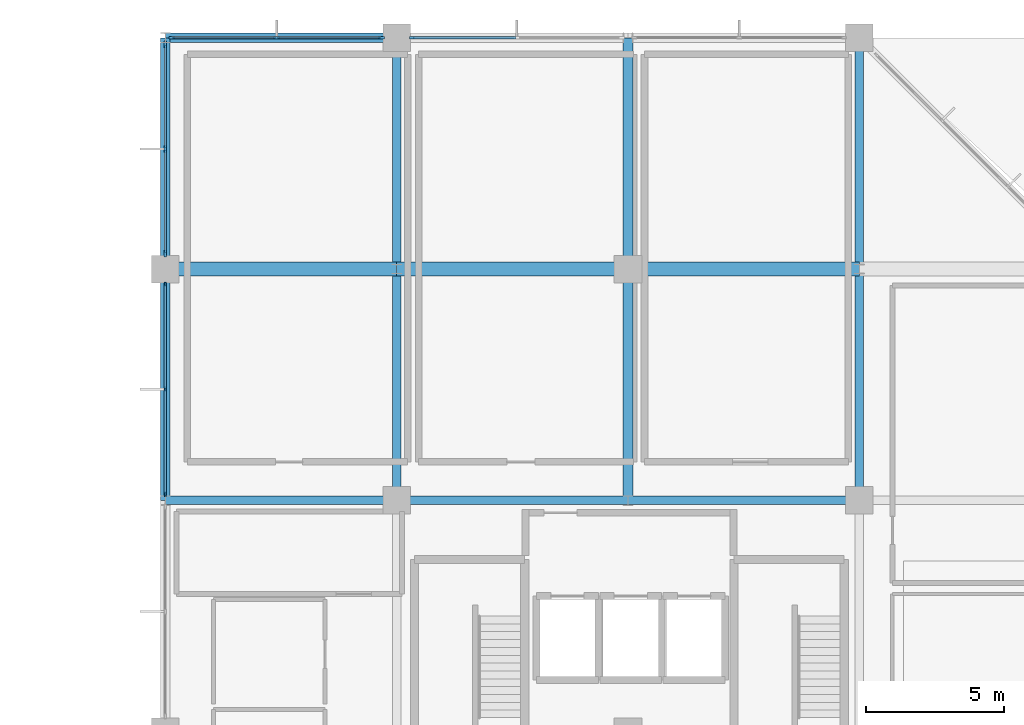
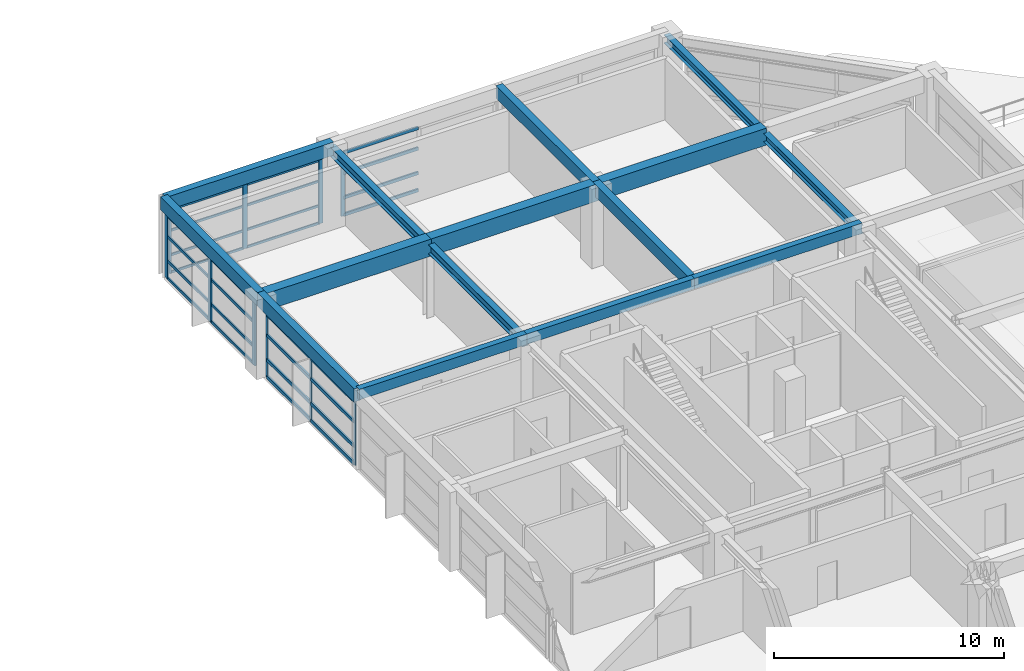
# One storey, part 10 of 21: 38 members, 15 beams, 4 elements without a shape of their own.
"""IFC4 building model written with IfcOpenShell, lengths in metres."""

from ifc_helpers import new_model, si_unit, direction, frame, origin, origin_2d, place, context, subcontext, project, spatial, rectangle, i_section, extrude, material, material_profile, profile_set, type_object, element, aggregate, save


model = new_model("IFC4")

# Units and contexts
model_context = context("Model", 3, precision=1e-05, world=origin(), true_north=direction((0.0, 1.0)))
body_context = subcontext(model_context, "Body", "Model", "MODEL_VIEW")
ifc_project = project(units=[si_unit("LENGTHUNIT", "METRE"), si_unit("AREAUNIT", "SQUARE_METRE"), si_unit("VOLUMEUNIT", "CUBIC_METRE"), si_unit("PLANEANGLEUNIT", "RADIAN"), si_unit("MASSUNIT", "GRAM", prefix="KILO")], contexts=[model_context])

# Site, building, storey
site_placement = place(None, origin())
site = spatial("IfcSite", under=ifc_project, at=site_placement, CompositionType="ELEMENT")
building_placement = place(site_placement, origin())
building = spatial("IfcBuilding", under=site, at=building_placement, Name="Xuanlan Plaza Opera House", CompositionType="ELEMENT")
storey_placement = place(building_placement, frame((0.0, 0.0, 44.699951171875)))
storey = spatial("IfcBuildingStorey", under=building, at=storey_placement, Name="L10", CompositionType="ELEMENT", Elevation=44.699951171875)

# Curtain wall, members
ifc_material_1 = material(Name="Anodised Aluminium 6063-T6 and Low-E Glass", Category="aluminium")
curtain_wall_type_1 = type_object("IfcCurtainWallType", Name="ENV-CW-CW-02", PredefinedType="USERDEFINED", material=ifc_material_1)
curtain_wall_1_placement = place(storey_placement, origin())
curtain_wall_1 = element("IfcCurtainWall", 1, at=curtain_wall_1_placement, inside=storey, type_object=curtain_wall_type_1, Name="Unitised Curtain Wall L10-014", ObjectType="UNITISED CURTAIN WALL", PredefinedType="USERDEFINED")
ifc_material_2 = material(Name="Anodised Aluminium 6063-T6", Category="aluminium")
ifc_material_profile_1 = material_profile(ifc_material_2, rectangle(XDim=0.06494140625, YDim=0.159912109375, at=origin_2d()), Name="ALU-M 65x160")
ifc_profile_set_1 = profile_set([ifc_material_profile_1], Name="Anodised Aluminium 6063-T6")
member_type_1 = type_object("IfcMemberType", Name="ENV-CWM-01", PredefinedType="MULLION", material=ifc_profile_set_1)
member_1_placement = place(storey_placement, frame((126.0, 75.047607421875, 0.0), z_axis=(0.0, 0.0, 1.0), x_axis=(1.0, 0.0, 0.0)))
member_1 = element("IfcMember", 2, at=member_1_placement, type_object=member_type_1, Name="CW-02 mullion 1", PredefinedType="MULLION", context=body_context, shape_type="SweptSolid", body=[
    extrude(rectangle(XDim=0.06494140625, YDim=0.159912109375, at=origin_2d()), origin(), (0.0, 0.0, 1.0), 3.380126953125),
])
member_2_placement = place(storey_placement, frame((126.0, 71.237548828125, 0.0), z_axis=(0.0, 0.0, 1.0), x_axis=(1.0, 0.0, 0.0)))
member_2 = element("IfcMember", 3, at=member_2_placement, type_object=member_type_1, Name="CW-02 mullion 2", PredefinedType="MULLION", context=body_context, shape_type="SweptSolid", body=[
    extrude(rectangle(XDim=0.06494140625, YDim=0.159912109375, at=origin_2d()), origin(), (0.0, 0.0, 1.0), 3.380126953125),
])
member_3_placement = place(storey_placement, frame((126.0, 67.427490234375, 0.0), z_axis=(0.0, 0.0, 1.0), x_axis=(1.0, 0.0, 0.0)))
member_3 = element("IfcMember", 4, at=member_3_placement, type_object=member_type_1, Name="CW-02 mullion 3", PredefinedType="MULLION", context=body_context, shape_type="SweptSolid", body=[
    extrude(rectangle(XDim=0.06494140625, YDim=0.159912109375, at=origin_2d()), origin(), (0.0, 0.0, 1.0), 3.380126953125),
])

# Curtain wall, member
curtain_wall_type_2 = type_object("IfcCurtainWallType", Name="ENV-CW-CW-03", PredefinedType="USERDEFINED", material=ifc_material_1)
curtain_wall_2_placement = place(storey_placement, origin())
curtain_wall_2 = element("IfcCurtainWall", 5, at=curtain_wall_2_placement, inside=storey, type_object=curtain_wall_type_2, Name="Unitised Curtain Wall L10-011", ObjectType="UNITISED CURTAIN WALL", PredefinedType="USERDEFINED")
ifc_material_profile_2 = material_profile(ifc_material_2, rectangle(XDim=0.074951171875, YDim=0.199951171875, at=origin_2d()), Name="ALU-M 75x200")
ifc_profile_set_2 = profile_set([ifc_material_profile_2], Name="Anodised Aluminium 6063-T6")
member_type_2 = type_object("IfcMemberType", Name="ENV-CWM-03", PredefinedType="MULLION", material=ifc_profile_set_2)
member_4_placement = place(storey_placement, frame((134.95751953125, 84.0, 0.0), z_axis=(0.0, 0.0, 1.0), x_axis=(0.0, -1.0, 0.0)))
member_4 = element("IfcMember", 6, at=member_4_placement, type_object=member_type_2, Name="CW-03 mullion 3", PredefinedType="MULLION", context=body_context, shape_type="SweptSolid", body=[
    extrude(rectangle(XDim=0.074951171875, YDim=0.199951171875, at=origin_2d()), origin(), (0.0, 0.0, 1.0), 3.380126953125),
])

# Curtain wall, members
curtain_wall_type_3 = type_object("IfcCurtainWallType", Name="ENV-CW-CW-04", PredefinedType="USERDEFINED", material=ifc_material_1)
curtain_wall_3_placement = place(storey_placement, origin())
curtain_wall_3 = element("IfcCurtainWall", 7, at=curtain_wall_3_placement, inside=storey, type_object=curtain_wall_type_3, Name="Unitised Curtain Wall L10-012", ObjectType="UNITISED CURTAIN WALL", PredefinedType="USERDEFINED")
ifc_material_profile_3 = material_profile(ifc_material_2, rectangle(XDim=0.080078125, YDim=0.219970703125, at=origin_2d()), Name="ALU-M 80x220")
ifc_profile_set_3 = profile_set([ifc_material_profile_3], Name="Anodised Aluminium 6063-T6")
member_type_3 = type_object("IfcMemberType", Name="ENV-CWM-04", PredefinedType="MULLION", material=ifc_profile_set_3)
member_5_placement = place(storey_placement, frame((133.840087890625, 84.0, 0.0), z_axis=(0.0, 0.0, 1.0), x_axis=(0.0, -1.0, 0.0)))
member_5 = element("IfcMember", 8, at=member_5_placement, type_object=member_type_3, Name="CW-04 mullion 1", PredefinedType="MULLION", context=body_context, shape_type="SweptSolid", body=[
    extrude(rectangle(XDim=0.080078125, YDim=0.219970703125, at=origin_2d()), origin(), (0.0, 0.0, 1.0), 3.380126953125),
])
member_6_placement = place(storey_placement, frame((130.03759765625, 84.0, 0.0), z_axis=(0.0, 0.0, 1.0), x_axis=(0.0, -1.0, 0.0)))
member_6 = element("IfcMember", 9, at=member_6_placement, type_object=member_type_3, Name="CW-04 mullion 2", PredefinedType="MULLION", context=body_context, shape_type="SweptSolid", body=[
    extrude(rectangle(XDim=0.080078125, YDim=0.219970703125, at=origin_2d()), origin(), (0.0, 0.0, 1.0), 3.380126953125),
])
member_7_placement = place(storey_placement, frame((126.235107421875, 84.0, 0.0), z_axis=(0.0, 0.0, 1.0), x_axis=(0.0, -1.0, 0.0)))
member_7 = element("IfcMember", 10, at=member_7_placement, type_object=member_type_3, Name="CW-04 mullion 3", PredefinedType="MULLION", context=body_context, shape_type="SweptSolid", body=[
    extrude(rectangle(XDim=0.080078125, YDim=0.219970703125, at=origin_2d()), origin(), (0.0, 0.0, 1.0), 3.380126953125),
])

curtain_wall_type_4 = type_object("IfcCurtainWallType", Name="ENV-CW-CW-01", PredefinedType="USERDEFINED", material=ifc_material_1)
curtain_wall_4_placement = place(storey_placement, origin())
curtain_wall_4 = element("IfcCurtainWall", 11, at=curtain_wall_4_placement, inside=storey, type_object=curtain_wall_type_4, Name="Unitised Curtain Wall L10-013", ObjectType="UNITISED CURTAIN WALL", PredefinedType="USERDEFINED")
ifc_material_profile_4 = material_profile(ifc_material_2, rectangle(XDim=0.090087890625, YDim=0.25, at=origin_2d()), Name="ALU-M 90x250")
ifc_profile_set_4 = profile_set([ifc_material_profile_4], Name="Anodised Aluminium 6063-T6")
member_type_4 = type_object("IfcMemberType", Name="ENV-CWM-05", PredefinedType="MULLION", material=ifc_profile_set_4)
member_8_placement = place(storey_placement, frame((126.0, 83.760009765625, 0.0), z_axis=(0.0, 0.0, 1.0), x_axis=(1.0, 0.0, 0.0)))
member_8 = element("IfcMember", 12, at=member_8_placement, type_object=member_type_4, Name="CW-01 mullion 1", PredefinedType="MULLION", context=body_context, shape_type="SweptSolid", body=[
    extrude(rectangle(XDim=0.090087890625, YDim=0.25, at=origin_2d()), origin(), (0.0, 0.0, 1.0), 3.380126953125),
])
member_9_placement = place(storey_placement, frame((126.0, 79.96240234375, 0.0), z_axis=(0.0, 0.0, 1.0), x_axis=(1.0, 0.0, 0.0)))
member_9 = element("IfcMember", 13, at=member_9_placement, type_object=member_type_4, Name="CW-01 mullion 2", PredefinedType="MULLION", context=body_context, shape_type="SweptSolid", body=[
    extrude(rectangle(XDim=0.090087890625, YDim=0.25, at=origin_2d()), origin(), (0.0, 0.0, 1.0), 3.380126953125),
])
member_10_placement = place(storey_placement, frame((126.0, 76.1650390625, 0.0), z_axis=(0.0, 0.0, 1.0), x_axis=(1.0, 0.0, 0.0)))
member_10 = element("IfcMember", 14, at=member_10_placement, type_object=member_type_4, Name="CW-01 mullion 3", PredefinedType="MULLION", context=body_context, shape_type="SweptSolid", body=[
    extrude(rectangle(XDim=0.090087890625, YDim=0.25, at=origin_2d()), origin(), (0.0, 0.0, 1.0), 3.380126953125),
])

# Member
ifc_material_profile_5 = material_profile(ifc_material_2, rectangle(XDim=0.06494140625, YDim=0.1201171875, at=origin_2d()), Name="ALU-T 65x120")
ifc_profile_set_5 = profile_set([ifc_material_profile_5], Name="Anodised Aluminium 6063-T6")
member_type_5 = type_object("IfcMemberType", Name="ENV-CWT-01", PredefinedType="USERDEFINED", material=ifc_profile_set_5)
member_11_placement = place(storey_placement, frame((133.800048828125, 84.0, 0.032470703125), z_axis=(-1.0, 0.0, 0.0), x_axis=(0.0, -1.0, 0.0)))
member_11 = element("IfcMember", 15, at=member_11_placement, type_object=member_type_5, Name="CW-04 transom 1.1", ObjectType="TRANSOM", PredefinedType="USERDEFINED", context=body_context, shape_type="SweptSolid", body=[
    extrude(rectangle(XDim=0.06494140625, YDim=0.1201171875, at=origin_2d()), origin(), (0.0, 0.0, 1.0), 3.72265625),
])

member_12_placement = place(storey_placement, frame((133.800048828125, 84.0, 0.949951171875), z_axis=(-1.0, 0.0, 0.0), x_axis=(0.0, -1.0, 0.0)))
member_12 = element("IfcMember", 16, at=member_12_placement, type_object=member_type_5, Name="CW-04 transom 1.2", ObjectType="TRANSOM", PredefinedType="USERDEFINED", context=body_context, shape_type="SweptSolid", body=[
    extrude(rectangle(XDim=0.06494140625, YDim=0.1201171875, at=origin_2d()), origin(), (0.0, 0.0, 1.0), 3.72265625),
])

member_13_placement = place(storey_placement, frame((133.800048828125, 84.0, 2.25), z_axis=(-1.0, 0.0, 0.0), x_axis=(0.0, -1.0, 0.0)))
member_13 = element("IfcMember", 17, at=member_13_placement, type_object=member_type_5, Name="CW-04 transom 1.3", ObjectType="TRANSOM", PredefinedType="USERDEFINED", context=body_context, shape_type="SweptSolid", body=[
    extrude(rectangle(XDim=0.06494140625, YDim=0.1201171875, at=origin_2d()), origin(), (0.0, 0.0, 1.0), 3.72265625),
])

member_14_placement = place(storey_placement, frame((133.800048828125, 84.0, 3.34765625), z_axis=(-1.0, 0.0, 0.0), x_axis=(0.0, -1.0, 0.0)))
member_14 = element("IfcMember", 18, at=member_14_placement, type_object=member_type_5, Name="CW-04 transom 1.4", ObjectType="TRANSOM", PredefinedType="USERDEFINED", context=body_context, shape_type="SweptSolid", body=[
    extrude(rectangle(XDim=0.06494140625, YDim=0.1201171875, at=origin_2d()), origin(), (0.0, 0.0, 1.0), 3.72265625),
])

member_15_placement = place(storey_placement, frame((129.99755859375, 84.0, 0.032470703125), z_axis=(-1.0, 0.0, 0.0), x_axis=(0.0, -1.0, 0.0)))
member_15 = element("IfcMember", 19, at=member_15_placement, type_object=member_type_5, Name="CW-04 transom 2.1", ObjectType="TRANSOM", PredefinedType="USERDEFINED", context=body_context, shape_type="SweptSolid", body=[
    extrude(rectangle(XDim=0.06494140625, YDim=0.1201171875, at=origin_2d()), origin(), (0.0, 0.0, 1.0), 3.72265625),
])

member_16_placement = place(storey_placement, frame((129.99755859375, 84.0, 0.949951171875), z_axis=(-1.0, 0.0, 0.0), x_axis=(0.0, -1.0, 0.0)))
member_16 = element("IfcMember", 20, at=member_16_placement, type_object=member_type_5, Name="CW-04 transom 2.2", ObjectType="TRANSOM", PredefinedType="USERDEFINED", context=body_context, shape_type="SweptSolid", body=[
    extrude(rectangle(XDim=0.06494140625, YDim=0.1201171875, at=origin_2d()), origin(), (0.0, 0.0, 1.0), 3.72265625),
])

member_17_placement = place(storey_placement, frame((129.99755859375, 84.0, 2.25), z_axis=(-1.0, 0.0, 0.0), x_axis=(0.0, -1.0, 0.0)))
member_17 = element("IfcMember", 21, at=member_17_placement, type_object=member_type_5, Name="CW-04 transom 2.3", ObjectType="TRANSOM", PredefinedType="USERDEFINED", context=body_context, shape_type="SweptSolid", body=[
    extrude(rectangle(XDim=0.06494140625, YDim=0.1201171875, at=origin_2d()), origin(), (0.0, 0.0, 1.0), 3.72265625),
])

member_18_placement = place(storey_placement, frame((129.99755859375, 84.0, 3.34765625), z_axis=(-1.0, 0.0, 0.0), x_axis=(0.0, -1.0, 0.0)))
member_18 = element("IfcMember", 22, at=member_18_placement, type_object=member_type_5, Name="CW-04 transom 2.4", ObjectType="TRANSOM", PredefinedType="USERDEFINED", context=body_context, shape_type="SweptSolid", body=[
    extrude(rectangle(XDim=0.06494140625, YDim=0.1201171875, at=origin_2d()), origin(), (0.0, 0.0, 1.0), 3.72265625),
])

aggregate(curtain_wall_3, [member_5, member_6, member_7, member_11, member_12, member_13, member_14, member_15, member_16, member_17, member_18])

ifc_material_profile_6 = material_profile(ifc_material_2, rectangle(XDim=0.074951171875, YDim=0.14990234375, at=origin_2d()), Name="ALU-T 75x150")
ifc_profile_set_6 = profile_set([ifc_material_profile_6], Name="Anodised Aluminium 6063-T6")
member_type_6 = type_object("IfcMemberType", Name="ENV-CWT-03", PredefinedType="USERDEFINED", material=ifc_profile_set_6)
member_19_placement = place(storey_placement, frame((126.0, 83.715087890625, 0.03759765625), z_axis=(0.0, -1.0, 0.0), x_axis=(1.0, 0.0, 0.0)))
member_19 = element("IfcMember", 23, at=member_19_placement, type_object=member_type_6, Name="CW-01 transom 1.1", ObjectType="TRANSOM", PredefinedType="USERDEFINED", context=body_context, shape_type="SweptSolid", body=[
    extrude(rectangle(XDim=0.074951171875, YDim=0.14990234375, at=origin_2d()), origin(), (0.0, 0.0, 1.0), 3.70751953125),
])

member_20_placement = place(storey_placement, frame((126.0, 83.715087890625, 0.949951171875), z_axis=(0.0, -1.0, 0.0), x_axis=(1.0, 0.0, 0.0)))
member_20 = element("IfcMember", 24, at=member_20_placement, type_object=member_type_6, Name="CW-01 transom 1.2", ObjectType="TRANSOM", PredefinedType="USERDEFINED", context=body_context, shape_type="SweptSolid", body=[
    extrude(rectangle(XDim=0.074951171875, YDim=0.14990234375, at=origin_2d()), origin(), (0.0, 0.0, 1.0), 3.70751953125),
])

member_21_placement = place(storey_placement, frame((126.0, 83.715087890625, 2.25), z_axis=(0.0, -1.0, 0.0), x_axis=(1.0, 0.0, 0.0)))
member_21 = element("IfcMember", 25, at=member_21_placement, type_object=member_type_6, Name="CW-01 transom 1.3", ObjectType="TRANSOM", PredefinedType="USERDEFINED", context=body_context, shape_type="SweptSolid", body=[
    extrude(rectangle(XDim=0.074951171875, YDim=0.14990234375, at=origin_2d()), origin(), (0.0, 0.0, 1.0), 3.70751953125),
])

member_22_placement = place(storey_placement, frame((126.0, 83.715087890625, 3.342529296875), z_axis=(0.0, -1.0, 0.0), x_axis=(1.0, 0.0, 0.0)))
member_22 = element("IfcMember", 26, at=member_22_placement, type_object=member_type_6, Name="CW-01 transom 1.4", ObjectType="TRANSOM", PredefinedType="USERDEFINED", context=body_context, shape_type="SweptSolid", body=[
    extrude(rectangle(XDim=0.074951171875, YDim=0.14990234375, at=origin_2d()), origin(), (0.0, 0.0, 1.0), 3.70751953125),
])

member_23_placement = place(storey_placement, frame((126.0, 79.91748046875, 0.03759765625), z_axis=(0.0, -1.0, 0.0), x_axis=(1.0, 0.0, 0.0)))
member_23 = element("IfcMember", 27, at=member_23_placement, type_object=member_type_6, Name="CW-01 transom 2.1", ObjectType="TRANSOM", PredefinedType="USERDEFINED", context=body_context, shape_type="SweptSolid", body=[
    extrude(rectangle(XDim=0.074951171875, YDim=0.14990234375, at=origin_2d()), origin(), (0.0, 0.0, 1.0), 3.70751953125),
])

member_24_placement = place(storey_placement, frame((126.0, 79.91748046875, 0.949951171875), z_axis=(0.0, -1.0, 0.0), x_axis=(1.0, 0.0, 0.0)))
member_24 = element("IfcMember", 28, at=member_24_placement, type_object=member_type_6, Name="CW-01 transom 2.2", ObjectType="TRANSOM", PredefinedType="USERDEFINED", context=body_context, shape_type="SweptSolid", body=[
    extrude(rectangle(XDim=0.074951171875, YDim=0.14990234375, at=origin_2d()), origin(), (0.0, 0.0, 1.0), 3.70751953125),
])

member_25_placement = place(storey_placement, frame((126.0, 79.91748046875, 2.25), z_axis=(0.0, -1.0, 0.0), x_axis=(1.0, 0.0, 0.0)))
member_25 = element("IfcMember", 29, at=member_25_placement, type_object=member_type_6, Name="CW-01 transom 2.3", ObjectType="TRANSOM", PredefinedType="USERDEFINED", context=body_context, shape_type="SweptSolid", body=[
    extrude(rectangle(XDim=0.074951171875, YDim=0.14990234375, at=origin_2d()), origin(), (0.0, 0.0, 1.0), 3.70751953125),
])

member_26_placement = place(storey_placement, frame((126.0, 79.91748046875, 3.342529296875), z_axis=(0.0, -1.0, 0.0), x_axis=(1.0, 0.0, 0.0)))
member_26 = element("IfcMember", 30, at=member_26_placement, type_object=member_type_6, Name="CW-01 transom 2.4", ObjectType="TRANSOM", PredefinedType="USERDEFINED", context=body_context, shape_type="SweptSolid", body=[
    extrude(rectangle(XDim=0.074951171875, YDim=0.14990234375, at=origin_2d()), origin(), (0.0, 0.0, 1.0), 3.70751953125),
])

aggregate(curtain_wall_4, [member_8, member_9, member_10, member_19, member_20, member_21, member_22, member_23, member_24, member_25, member_26])

ifc_material_profile_7 = material_profile(ifc_material_2, rectangle(XDim=0.080078125, YDim=0.1650390625, at=origin_2d()), Name="ALU-T 80x165")
ifc_profile_set_7 = profile_set([ifc_material_profile_7], Name="Anodised Aluminium 6063-T6")
member_type_7 = type_object("IfcMemberType", Name="ENV-CWT-04", PredefinedType="USERDEFINED", material=ifc_profile_set_7)
member_27_placement = place(storey_placement, frame((138.72509765625, 84.0, 0.0400390625), z_axis=(-1.0, 0.0, 0.0), x_axis=(0.0, -1.0, 0.0)))
member_27 = element("IfcMember", 31, at=member_27_placement, type_object=member_type_7, Name="CW-03 transom 2.1", ObjectType="TRANSOM", PredefinedType="USERDEFINED", context=body_context, shape_type="SweptSolid", body=[
    extrude(rectangle(XDim=0.080078125, YDim=0.1650390625, at=origin_2d()), origin(), (0.0, 0.0, 1.0), 3.72998046875),
])

member_28_placement = place(storey_placement, frame((138.72509765625, 84.0, 0.949951171875), z_axis=(-1.0, 0.0, 0.0), x_axis=(0.0, -1.0, 0.0)))
member_28 = element("IfcMember", 32, at=member_28_placement, type_object=member_type_7, Name="CW-03 transom 2.2", ObjectType="TRANSOM", PredefinedType="USERDEFINED", context=body_context, shape_type="SweptSolid", body=[
    extrude(rectangle(XDim=0.080078125, YDim=0.1650390625, at=origin_2d()), origin(), (0.0, 0.0, 1.0), 3.72998046875),
])

member_29_placement = place(storey_placement, frame((138.72509765625, 84.0, 2.25), z_axis=(-1.0, 0.0, 0.0), x_axis=(0.0, -1.0, 0.0)))
member_29 = element("IfcMember", 33, at=member_29_placement, type_object=member_type_7, Name="CW-03 transom 2.3", ObjectType="TRANSOM", PredefinedType="USERDEFINED", context=body_context, shape_type="SweptSolid", body=[
    extrude(rectangle(XDim=0.080078125, YDim=0.1650390625, at=origin_2d()), origin(), (0.0, 0.0, 1.0), 3.72998046875),
])

member_30_placement = place(storey_placement, frame((138.72509765625, 84.0, 3.340087890625), z_axis=(-1.0, 0.0, 0.0), x_axis=(0.0, -1.0, 0.0)))
member_30 = element("IfcMember", 34, at=member_30_placement, type_object=member_type_7, Name="CW-03 transom 2.4", ObjectType="TRANSOM", PredefinedType="USERDEFINED", context=body_context, shape_type="SweptSolid", body=[
    extrude(rectangle(XDim=0.080078125, YDim=0.1650390625, at=origin_2d()), origin(), (0.0, 0.0, 1.0), 3.72998046875),
])

aggregate(curtain_wall_2, [member_4, member_27, member_28, member_29, member_30])

ifc_material_profile_8 = material_profile(ifc_material_2, rectangle(XDim=0.090087890625, YDim=0.179931640625, at=origin_2d()), Name="ALU-T 90x180")
ifc_profile_set_8 = profile_set([ifc_material_profile_8], Name="Anodised Aluminium 6063-T6")
member_type_8 = type_object("IfcMemberType", Name="ENV-CWT-05", PredefinedType="USERDEFINED", material=ifc_profile_set_8)
member_31_placement = place(storey_placement, frame((126.0, 75.014892578125, 0.045166015625), z_axis=(0.0, -1.0, 0.0), x_axis=(1.0, 0.0, 0.0)))
member_31 = element("IfcMember", 35, at=member_31_placement, type_object=member_type_8, Name="CW-02 transom 1.1", ObjectType="TRANSOM", PredefinedType="USERDEFINED", context=body_context, shape_type="SweptSolid", body=[
    extrude(rectangle(XDim=0.090087890625, YDim=0.179931640625, at=origin_2d()), origin(), (0.0, 0.0, 1.0), 3.744873046875),
])

member_32_placement = place(storey_placement, frame((126.0, 75.014892578125, 0.949951171875), z_axis=(0.0, -1.0, 0.0), x_axis=(1.0, 0.0, 0.0)))
member_32 = element("IfcMember", 36, at=member_32_placement, type_object=member_type_8, Name="CW-02 transom 1.2", ObjectType="TRANSOM", PredefinedType="USERDEFINED", context=body_context, shape_type="SweptSolid", body=[
    extrude(rectangle(XDim=0.090087890625, YDim=0.179931640625, at=origin_2d()), origin(), (0.0, 0.0, 1.0), 3.744873046875),
])

member_33_placement = place(storey_placement, frame((126.0, 75.014892578125, 2.25), z_axis=(0.0, -1.0, 0.0), x_axis=(1.0, 0.0, 0.0)))
member_33 = element("IfcMember", 37, at=member_33_placement, type_object=member_type_8, Name="CW-02 transom 1.3", ObjectType="TRANSOM", PredefinedType="USERDEFINED", context=body_context, shape_type="SweptSolid", body=[
    extrude(rectangle(XDim=0.090087890625, YDim=0.179931640625, at=origin_2d()), origin(), (0.0, 0.0, 1.0), 3.744873046875),
])

member_34_placement = place(storey_placement, frame((126.0, 75.014892578125, 3.3349609375), z_axis=(0.0, -1.0, 0.0), x_axis=(1.0, 0.0, 0.0)))
member_34 = element("IfcMember", 38, at=member_34_placement, type_object=member_type_8, Name="CW-02 transom 1.4", ObjectType="TRANSOM", PredefinedType="USERDEFINED", context=body_context, shape_type="SweptSolid", body=[
    extrude(rectangle(XDim=0.090087890625, YDim=0.179931640625, at=origin_2d()), origin(), (0.0, 0.0, 1.0), 3.744873046875),
])

member_35_placement = place(storey_placement, frame((126.0, 71.205078125, 0.045166015625), z_axis=(0.0, -1.0, 0.0), x_axis=(1.0, 0.0, 0.0)))
member_35 = element("IfcMember", 39, at=member_35_placement, type_object=member_type_8, Name="CW-02 transom 2.1", ObjectType="TRANSOM", PredefinedType="USERDEFINED", context=body_context, shape_type="SweptSolid", body=[
    extrude(rectangle(XDim=0.090087890625, YDim=0.179931640625, at=origin_2d()), origin(), (0.0, 0.0, 1.0), 3.7451171875),
])

member_36_placement = place(storey_placement, frame((126.0, 71.205078125, 0.949951171875), z_axis=(0.0, -1.0, 0.0), x_axis=(1.0, 0.0, 0.0)))
member_36 = element("IfcMember", 40, at=member_36_placement, type_object=member_type_8, Name="CW-02 transom 2.2", ObjectType="TRANSOM", PredefinedType="USERDEFINED", context=body_context, shape_type="SweptSolid", body=[
    extrude(rectangle(XDim=0.090087890625, YDim=0.179931640625, at=origin_2d()), origin(), (0.0, 0.0, 1.0), 3.7451171875),
])

member_37_placement = place(storey_placement, frame((126.0, 71.205078125, 2.25), z_axis=(0.0, -1.0, 0.0), x_axis=(1.0, 0.0, 0.0)))
member_37 = element("IfcMember", 41, at=member_37_placement, type_object=member_type_8, Name="CW-02 transom 2.3", ObjectType="TRANSOM", PredefinedType="USERDEFINED", context=body_context, shape_type="SweptSolid", body=[
    extrude(rectangle(XDim=0.090087890625, YDim=0.179931640625, at=origin_2d()), origin(), (0.0, 0.0, 1.0), 3.7451171875),
])

member_38_placement = place(storey_placement, frame((126.0, 71.205078125, 3.3349609375), z_axis=(0.0, -1.0, 0.0), x_axis=(1.0, 0.0, 0.0)))
member_38 = element("IfcMember", 42, at=member_38_placement, type_object=member_type_8, Name="CW-02 transom 2.4", ObjectType="TRANSOM", PredefinedType="USERDEFINED", context=body_context, shape_type="SweptSolid", body=[
    extrude(rectangle(XDim=0.090087890625, YDim=0.179931640625, at=origin_2d()), origin(), (0.0, 0.0, 1.0), 3.7451171875),
])

aggregate(curtain_wall_1, [member_1, member_2, member_3, member_31, member_32, member_33, member_34, member_35, member_36, member_37, member_38])

# Beams
ifc_material_3 = material(Name="Concrete C40", Category="concrete")
ifc_material_profile_9 = material_profile(ifc_material_3, rectangle(XDim=0.5, YDim=0.89990234375, at=origin_2d()), Name="RC-BM 500x900")
ifc_profile_set_9 = profile_set([ifc_material_profile_9], Name="Concrete C40")
beam_type_1 = type_object("IfcBeamType", Name="STR-BM-B-03", PredefinedType="BEAM", material=ifc_profile_set_9)
beam_1_placement = place(storey_placement, frame((126.0, 75.60009765625, 3.75), z_axis=(1.0, 0.0, 0.0), x_axis=(0.0, 1.0, 0.0)))
element("IfcBeam", 43, at=beam_1_placement, inside=storey, type_object=beam_type_1, Name="Grid Beam X L10 16-17/J", PredefinedType="BEAM", context=body_context, shape_type="SweptSolid", body=[
    extrude(rectangle(XDim=0.5, YDim=0.89990234375, at=origin_2d()), origin(), (0.0, 0.0, 1.0), 8.39990234375),
])
beam_2_placement = place(storey_placement, frame((134.39990234375, 75.60009765625, 3.75), z_axis=(1.0, 0.0, 0.0), x_axis=(0.0, 1.0, 0.0)))
element("IfcBeam", 44, at=beam_2_placement, inside=storey, type_object=beam_type_1, Name="Grid Beam X L10 17-18/J", PredefinedType="BEAM", context=body_context, shape_type="SweptSolid", body=[
    extrude(rectangle(XDim=0.5, YDim=0.89990234375, at=origin_2d()), origin(), (0.0, 0.0, 1.0), 8.400146484375),
])
beam_3_placement = place(storey_placement, frame((142.800048828125, 75.60009765625, 3.75), z_axis=(1.0, 0.0, 0.0), x_axis=(0.0, 1.0, 0.0)))
element("IfcBeam", 45, at=beam_3_placement, inside=storey, type_object=beam_type_1, Name="Grid Beam X L10 18-19/J", PredefinedType="BEAM", context=body_context, shape_type="SweptSolid", body=[
    extrude(rectangle(XDim=0.5, YDim=0.89990234375, at=origin_2d()), origin(), (0.0, 0.0, 1.0), 8.39990234375),
])
ifc_material_profile_10 = material_profile(ifc_material_3, rectangle(XDim=0.35009765625, YDim=0.64990234375, at=origin_2d()), Name="RC-BM 350x650")
ifc_profile_set_10 = profile_set([ifc_material_profile_10], Name="Concrete C40")
beam_type_2 = type_object("IfcBeamType", Name="STR-BM-B-08", PredefinedType="BEAM", material=ifc_profile_set_10)
beam_4_placement = place(storey_placement, frame((142.800048828125, 67.199951171875, 3.875), z_axis=(0.0, 1.0, 0.0), x_axis=(-1.0, 0.0, 0.0)))
element("IfcBeam", 46, at=beam_4_placement, inside=storey, type_object=beam_type_2, Name="Grid Beam Y L10 18/I-J", PredefinedType="BEAM", context=body_context, shape_type="SweptSolid", body=[
    extrude(rectangle(XDim=0.35009765625, YDim=0.64990234375, at=origin_2d()), origin(), (0.0, 0.0, 1.0), 8.400146484375),
])
beam_5_placement = place(storey_placement, frame((142.800048828125, 75.60009765625, 3.875), z_axis=(0.0, 1.0, 0.0), x_axis=(-1.0, 0.0, 0.0)))
element("IfcBeam", 47, at=beam_5_placement, inside=storey, type_object=beam_type_2, Name="Grid Beam Y L10 18/J-K", PredefinedType="BEAM", context=body_context, shape_type="SweptSolid", body=[
    extrude(rectangle(XDim=0.35009765625, YDim=0.64990234375, at=origin_2d()), origin(), (0.0, 0.0, 1.0), 8.39990234375),
])
ifc_material_profile_11 = material_profile(ifc_material_3, rectangle(XDim=0.300048828125, YDim=0.550048828125, at=origin_2d()), Name="RC-BM 300x550")
ifc_profile_set_11 = profile_set([ifc_material_profile_11], Name="Concrete C40")
beam_type_3 = type_object("IfcBeamType", Name="STR-BM-B-09", PredefinedType="BEAM", material=ifc_profile_set_11)
beam_6_placement = place(storey_placement, frame((126.0, 67.199951171875, 3.925048828125), z_axis=(1.0, 0.0, 0.0), x_axis=(0.0, 1.0, 0.0)))
element("IfcBeam", 48, at=beam_6_placement, inside=storey, type_object=beam_type_3, Name="Grid Beam X L10 16-17/I", PredefinedType="BEAM", context=body_context, shape_type="SweptSolid", body=[
    extrude(rectangle(XDim=0.300048828125, YDim=0.550048828125, at=origin_2d()), origin(), (0.0, 0.0, 1.0), 8.39990234375),
])
beam_7_placement = place(storey_placement, frame((134.39990234375, 67.199951171875, 3.925048828125), z_axis=(1.0, 0.0, 0.0), x_axis=(0.0, 1.0, 0.0)))
element("IfcBeam", 49, at=beam_7_placement, inside=storey, type_object=beam_type_3, Name="Grid Beam X L10 17-18/I", PredefinedType="BEAM", context=body_context, shape_type="SweptSolid", body=[
    extrude(rectangle(XDim=0.300048828125, YDim=0.550048828125, at=origin_2d()), origin(), (0.0, 0.0, 1.0), 8.400146484375),
])
beam_8_placement = place(storey_placement, frame((142.800048828125, 67.199951171875, 3.925048828125), z_axis=(1.0, 0.0, 0.0), x_axis=(0.0, 1.0, 0.0)))
element("IfcBeam", 50, at=beam_8_placement, inside=storey, type_object=beam_type_3, Name="Grid Beam X L10 18-19/I", PredefinedType="BEAM", context=body_context, shape_type="SweptSolid", body=[
    extrude(rectangle(XDim=0.300048828125, YDim=0.550048828125, at=origin_2d()), origin(), (0.0, 0.0, 1.0), 8.39990234375),
])
ifc_material_4 = material(Name="Steel Q355B", Category="steel")
ifc_material_profile_12 = material_profile(ifc_material_4, i_section(OverallWidth=0.300048828125, OverallDepth=0.488037109375, WebThickness=0.010986328125, FlangeThickness=0.01806640625, FilletRadius=0.02197265625, at=origin_2d()), Name="HM 488x300x11x18")
ifc_profile_set_12 = profile_set([ifc_material_profile_12], Name="Steel Q355B")
beam_type_4 = type_object("IfcBeamType", Name="STR-BM-SB-07", PredefinedType="BEAM", material=ifc_profile_set_12)
beam_9_placement = place(storey_placement, frame((134.39990234375, 67.199951171875, 3.7109375), z_axis=(0.0, 1.0, 0.0), x_axis=(-1.0, 0.0, 0.0)))
element("IfcBeam", 51, at=beam_9_placement, inside=storey, type_object=beam_type_4, Name="Grid Beam Y L10 17/I-J", PredefinedType="BEAM", context=body_context, shape_type="SweptSolid", body=[
    extrude(i_section(OverallWidth=0.300048828125, OverallDepth=0.488037109375, WebThickness=0.010986328125, FlangeThickness=0.01806640625, FilletRadius=0.02197265625, at=origin_2d()), origin(), (0.0, 0.0, 1.0), 8.400146484375),
])
beam_10_placement = place(storey_placement, frame((134.39990234375, 75.60009765625, 3.7109375), z_axis=(0.0, 1.0, 0.0), x_axis=(-1.0, 0.0, 0.0)))
element("IfcBeam", 52, at=beam_10_placement, inside=storey, type_object=beam_type_4, Name="Grid Beam Y L10 17/J-K", PredefinedType="BEAM", context=body_context, shape_type="SweptSolid", body=[
    extrude(i_section(OverallWidth=0.300048828125, OverallDepth=0.488037109375, WebThickness=0.010986328125, FlangeThickness=0.01806640625, FilletRadius=0.02197265625, at=origin_2d()), origin(), (0.0, 0.0, 1.0), 8.39990234375),
])
ifc_material_profile_13 = material_profile(ifc_material_4, i_section(OverallWidth=0.300048828125, OverallDepth=0.43994140625, WebThickness=0.010986328125, FlangeThickness=0.01806640625, FilletRadius=0.02001953125, at=origin_2d()), Name="HM 440x300x11x18")
ifc_profile_set_13 = profile_set([ifc_material_profile_13], Name="Steel Q355B")
beam_type_5 = type_object("IfcBeamType", Name="STR-BM-SB-08", PredefinedType="BEAM", material=ifc_profile_set_13)
beam_11_placement = place(storey_placement, frame((151.199951171875, 67.199951171875, 3.735107421875), z_axis=(0.0, 1.0, 0.0), x_axis=(-1.0, 0.0, 0.0)))
element("IfcBeam", 53, at=beam_11_placement, inside=storey, type_object=beam_type_5, Name="Grid Beam Y L10 19/I-J", PredefinedType="BEAM", context=body_context, shape_type="SweptSolid", body=[
    extrude(i_section(OverallWidth=0.300048828125, OverallDepth=0.43994140625, WebThickness=0.010986328125, FlangeThickness=0.01806640625, FilletRadius=0.02001953125, at=origin_2d()), origin(), (0.0, 0.0, 1.0), 8.400146484375),
])
beam_12_placement = place(storey_placement, frame((151.199951171875, 75.60009765625, 3.735107421875), z_axis=(0.0, 1.0, 0.0), x_axis=(-1.0, 0.0, 0.0)))
element("IfcBeam", 54, at=beam_12_placement, inside=storey, type_object=beam_type_5, Name="Grid Beam Y L10 19/J-K", PredefinedType="BEAM", context=body_context, shape_type="SweptSolid", body=[
    extrude(i_section(OverallWidth=0.300048828125, OverallDepth=0.43994140625, WebThickness=0.010986328125, FlangeThickness=0.01806640625, FilletRadius=0.02001953125, at=origin_2d()), origin(), (0.0, 0.0, 1.0), 8.39990234375),
])
ifc_material_profile_14 = material_profile(ifc_material_3, rectangle(XDim=0.35009765625, YDim=0.699951171875, at=origin_2d()), Name="RC-SPD 350x700")
ifc_profile_set_14 = profile_set([ifc_material_profile_14], Name="Concrete C40")
beam_type_6 = type_object("IfcBeamType", Name="STR-BM-SP-02", PredefinedType="SPANDREL", material=ifc_profile_set_14)
beam_13_placement = place(storey_placement, frame((126.0, 84.0, 3.85009765625), z_axis=(1.0, 0.0, 0.0), x_axis=(0.0, 1.0, 0.0)))
element("IfcBeam", 55, at=beam_13_placement, inside=storey, type_object=beam_type_6, Name="Grid Beam X L10 16-17/K", PredefinedType="SPANDREL", context=body_context, shape_type="SweptSolid", body=[
    extrude(rectangle(XDim=0.35009765625, YDim=0.699951171875, at=origin_2d()), origin(), (0.0, 0.0, 1.0), 8.39990234375),
])
beam_14_placement = place(storey_placement, frame((126.0, 67.199951171875, 3.85009765625), z_axis=(0.0, 1.0, 0.0), x_axis=(-1.0, 0.0, 0.0)))
element("IfcBeam", 56, at=beam_14_placement, inside=storey, type_object=beam_type_6, Name="Grid Beam Y L10 16/I-J", PredefinedType="SPANDREL", context=body_context, shape_type="SweptSolid", body=[
    extrude(rectangle(XDim=0.35009765625, YDim=0.699951171875, at=origin_2d()), origin(), (0.0, 0.0, 1.0), 8.400146484375),
])
beam_15_placement = place(storey_placement, frame((126.0, 75.60009765625, 3.85009765625), z_axis=(0.0, 1.0, 0.0), x_axis=(-1.0, 0.0, 0.0)))
element("IfcBeam", 57, at=beam_15_placement, inside=storey, type_object=beam_type_6, Name="Grid Beam Y L10 16/J-K", PredefinedType="SPANDREL", context=body_context, shape_type="SweptSolid", body=[
    extrude(rectangle(XDim=0.35009765625, YDim=0.699951171875, at=origin_2d()), origin(), (0.0, 0.0, 1.0), 8.39990234375),
])

save(model, "model.ifc")
